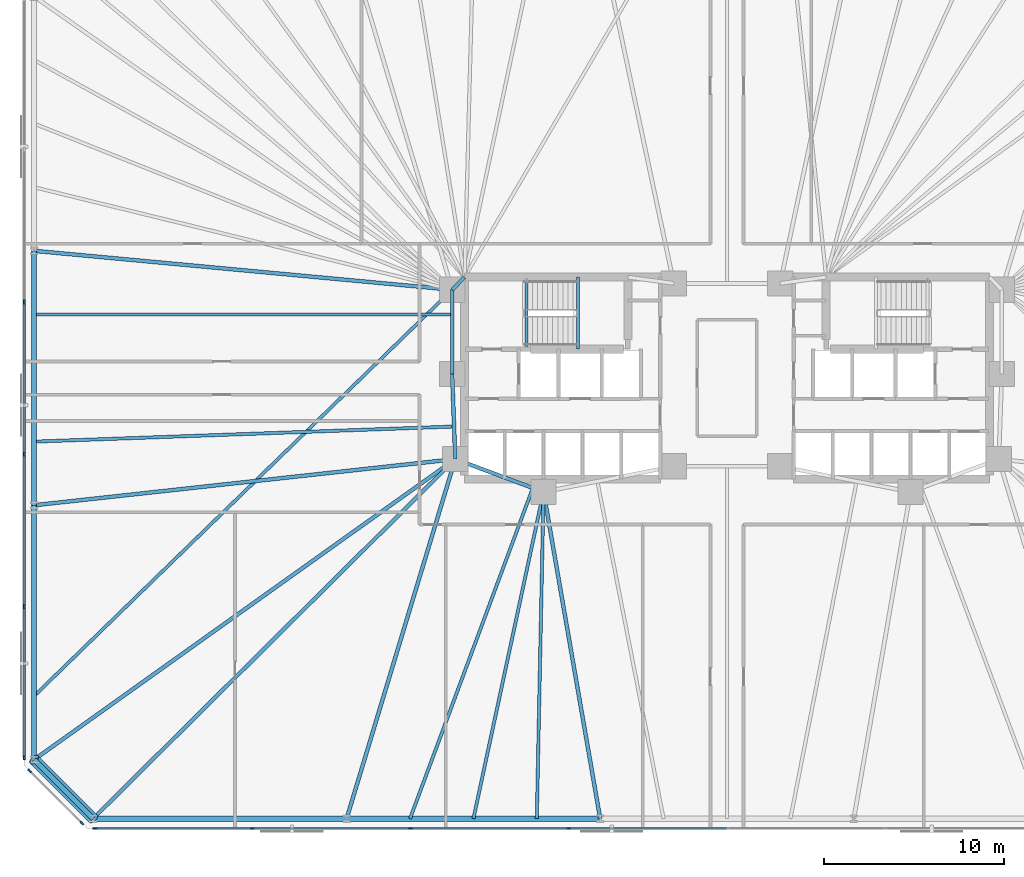
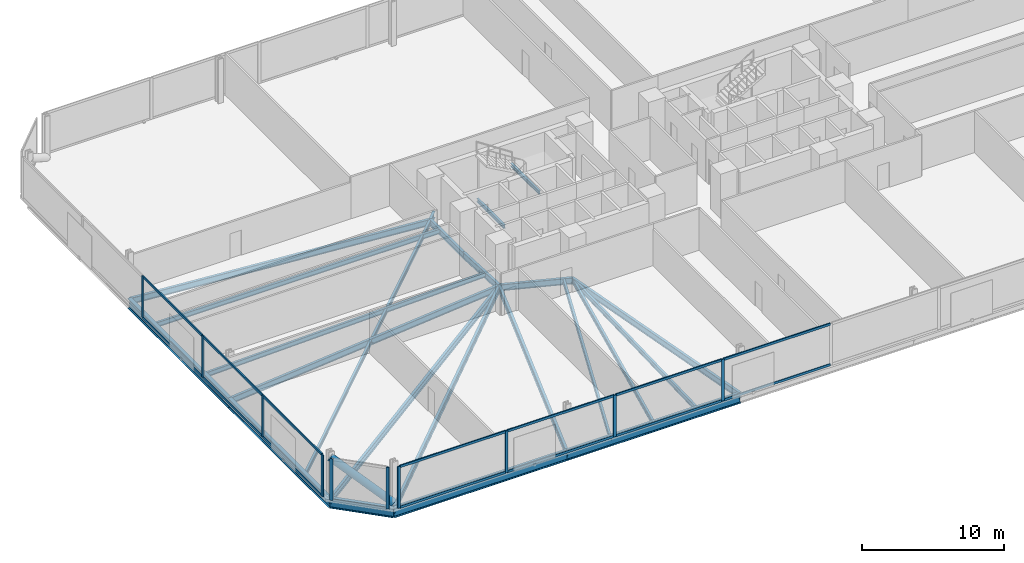
# One storey, part 6 of 17: 25 members, 23 beams, 3 elements without a shape of their own.
"""IFC4 building model written with IfcOpenShell, lengths in metres."""

from ifc_helpers import new_model, si_unit, direction, frame, origin, origin_2d, place, context, subcontext, project, spatial, rectangle, hollow_circle, i_section, extrude, material, material_profile, profile_set, type_object, element, aggregate, save


model = new_model("IFC4")

# Units and contexts
model_context = context("Model", 3, precision=1e-05, world=origin(), true_north=direction((0.0, 1.0)))
body_context = subcontext(model_context, "Body", "Model", "MODEL_VIEW")
ifc_project = project(units=[si_unit("LENGTHUNIT", "METRE"), si_unit("AREAUNIT", "SQUARE_METRE"), si_unit("VOLUMEUNIT", "CUBIC_METRE"), si_unit("PLANEANGLEUNIT", "RADIAN"), si_unit("MASSUNIT", "GRAM", prefix="KILO")], contexts=[model_context])

# Site, building, storey
site_placement = place(None, origin())
site = spatial("IfcSite", under=ifc_project, at=site_placement, CompositionType="ELEMENT")
building_placement = place(site_placement, origin())
building = spatial("IfcBuilding", under=site, at=building_placement, Name="Menara Jurai Vektor", CompositionType="ELEMENT")
storey_placement = place(building_placement, frame((0.0, 0.0, 56.0)))
storey = spatial("IfcBuildingStorey", under=building, at=storey_placement, Name="L13", CompositionType="ELEMENT", Elevation=56.0)

# Curtain wall, members
ifc_material_1 = material(Name="Anodised Pale Aluminium & Low-E Double Glazing", Category="aluminium")
curtain_wall_type = type_object("IfcCurtainWallType", Name="CW-BLK1", PredefinedType="NOTDEFINED", material=ifc_material_1)
curtain_wall_1_placement = place(storey_placement, origin())
curtain_wall_1 = element("IfcCurtainWall", 1, at=curtain_wall_1_placement, inside=storey, type_object=curtain_wall_type, Name="Unitised Curtain Wall L13 F01", PredefinedType="NOTDEFINED")
ifc_material_2 = material(Name="Anodised Pale Aluminium Mullion", Category="aluminium")
ifc_material_profile_1 = material_profile(ifc_material_2, rectangle(XDim=0.094970703125, YDim=0.239990234375, at=origin_2d()), Name="ALU MUL 95x240")
ifc_profile_set_1 = profile_set([ifc_material_profile_1], Name="Anodised Pale Aluminium Mullion")
member_type_1 = type_object("IfcMemberType", Name="CW-BLK1-MUL", PredefinedType="MULLION", material=ifc_profile_set_1)
member_1_placement = place(storey_placement, frame((-35.072509765625, -25.0, 0.0), z_axis=(0.0, 0.0, 1.0), x_axis=(0.0, 1.0, 0.0)))
member_1 = element("IfcMember", 2, at=member_1_placement, type_object=member_type_1, Name="CW-01 mullion 1", PredefinedType="MULLION", context=body_context, shape_type="SweptSolid", body=[
    extrude(rectangle(XDim=0.094970703125, YDim=0.239990234375, at=origin_2d()), origin(), (0.0, 0.0, 1.0), 3.574951171875),
])
member_2_placement = place(storey_placement, frame((-26.340087890625, -25.0, 0.0), z_axis=(0.0, 0.0, 1.0), x_axis=(0.0, 1.0, 0.0)))
member_2 = element("IfcMember", 3, at=member_2_placement, type_object=member_type_1, Name="CW-01 mullion 2", PredefinedType="MULLION", context=body_context, shape_type="SweptSolid", body=[
    extrude(rectangle(XDim=0.094970703125, YDim=0.239990234375, at=origin_2d()), origin(), (0.0, 0.0, 1.0), 3.574951171875),
])
member_3_placement = place(storey_placement, frame((-17.56005859375, -25.0, 0.0), z_axis=(0.0, 0.0, 1.0), x_axis=(0.0, 1.0, 0.0)))
member_3 = element("IfcMember", 4, at=member_3_placement, type_object=member_type_1, Name="CW-01 mullion 3", PredefinedType="MULLION", context=body_context, shape_type="SweptSolid", body=[
    extrude(rectangle(XDim=0.094970703125, YDim=0.239990234375, at=origin_2d()), origin(), (0.0, 0.0, 1.0), 3.574951171875),
])
member_4_placement = place(storey_placement, frame((-8.780029296875, -25.0, 0.0), z_axis=(0.0, 0.0, 1.0), x_axis=(0.0, 1.0, 0.0)))
member_4 = element("IfcMember", 5, at=member_4_placement, type_object=member_type_1, Name="CW-01 mullion 4", PredefinedType="MULLION", context=body_context, shape_type="SweptSolid", body=[
    extrude(rectangle(XDim=0.094970703125, YDim=0.239990234375, at=origin_2d()), origin(), (0.0, 0.0, 1.0), 3.574951171875),
])

curtain_wall_2_placement = place(storey_placement, origin())
curtain_wall_2 = element("IfcCurtainWall", 6, at=curtain_wall_2_placement, inside=storey, type_object=curtain_wall_type, Name="Unitised Curtain Wall L13 F07", PredefinedType="NOTDEFINED")
member_5_placement = place(storey_placement, frame((-39.0, 4.22412109375, 0.0), z_axis=(0.0, 0.0, 1.0), x_axis=(1.0, 0.0, 0.0)))
member_5 = element("IfcMember", 7, at=member_5_placement, type_object=member_type_1, Name="CW-01 mullion 3", PredefinedType="MULLION", context=body_context, shape_type="SweptSolid", body=[
    extrude(rectangle(XDim=0.094970703125, YDim=0.239990234375, at=origin_2d()), origin(), (0.0, 0.0, 1.0), 3.574951171875),
])
member_6_placement = place(storey_placement, frame((-39.0, -4.22412109375, 0.0), z_axis=(0.0, 0.0, 1.0), x_axis=(1.0, 0.0, 0.0)))
member_6 = element("IfcMember", 8, at=member_6_placement, type_object=member_type_1, Name="CW-01 mullion 4", PredefinedType="MULLION", context=body_context, shape_type="SweptSolid", body=[
    extrude(rectangle(XDim=0.094970703125, YDim=0.239990234375, at=origin_2d()), origin(), (0.0, 0.0, 1.0), 3.574951171875),
])
member_7_placement = place(storey_placement, frame((-39.0, -12.672119140625, 0.0), z_axis=(0.0, 0.0, 1.0), x_axis=(1.0, 0.0, 0.0)))
member_7 = element("IfcMember", 9, at=member_7_placement, type_object=member_type_1, Name="CW-01 mullion 5", PredefinedType="MULLION", context=body_context, shape_type="SweptSolid", body=[
    extrude(rectangle(XDim=0.094970703125, YDim=0.239990234375, at=origin_2d()), origin(), (0.0, 0.0, 1.0), 3.574951171875),
])
member_8_placement = place(storey_placement, frame((-39.0, -21.072509765625, 0.0), z_axis=(0.0, 0.0, 1.0), x_axis=(1.0, 0.0, 0.0)))
member_8 = element("IfcMember", 10, at=member_8_placement, type_object=member_type_1, Name="CW-01 mullion 6", PredefinedType="MULLION", context=body_context, shape_type="SweptSolid", body=[
    extrude(rectangle(XDim=0.094970703125, YDim=0.239990234375, at=origin_2d()), origin(), (0.0, 0.0, 1.0), 3.574951171875),
])

curtain_wall_3_placement = place(storey_placement, origin())
curtain_wall_3 = element("IfcCurtainWall", 11, at=curtain_wall_3_placement, inside=storey, type_object=curtain_wall_type, Name="Unitised Curtain Wall L13 F08", PredefinedType="NOTDEFINED")
member_9_placement = place(storey_placement, frame((-38.69775390625, -21.80224609375, 0.0), z_axis=(0.0, 0.0, 1.0), x_axis=(0.707106781187, 0.707106781187, 0.0)))
member_9 = element("IfcMember", 12, at=member_9_placement, type_object=member_type_1, Name="CW-01 mullion 1", PredefinedType="MULLION", context=body_context, shape_type="SweptSolid", body=[
    extrude(rectangle(XDim=0.094970703125, YDim=0.239990234375, at=origin_2d()), origin(), (0.0, 0.0, 1.0), 3.574951171875),
])
member_10_placement = place(storey_placement, frame((-35.80224609375, -24.69775390625, 0.0), z_axis=(0.0, 0.0, 1.0), x_axis=(0.707106781187, 0.707106781187, 0.0)))
member_10 = element("IfcMember", 13, at=member_10_placement, type_object=member_type_1, Name="CW-01 mullion 2", PredefinedType="MULLION", context=body_context, shape_type="SweptSolid", body=[
    extrude(rectangle(XDim=0.094970703125, YDim=0.239990234375, at=origin_2d()), origin(), (0.0, 0.0, 1.0), 3.574951171875),
])
aggregate(curtain_wall_3, [member_9, member_10])

# Member
ifc_material_3 = material(Name="Anodised Pale Aluminium Transom", Category="aluminium")
ifc_material_profile_2 = material_profile(ifc_material_3, rectangle(XDim=0.094970703125, YDim=0.199951171875, at=origin_2d()), Name="ALU TRN 95x200")
ifc_profile_set_2 = profile_set([ifc_material_profile_2], Name="Anodised Pale Aluminium Transom")
member_type_2 = type_object("IfcMemberType", Name="CW-BLK1-TRN", PredefinedType="USERDEFINED", material=ifc_profile_set_2)
member_11_placement = place(storey_placement, frame((-35.02490234375, -25.0, 0.047607421875), z_axis=(1.0, 0.0, 0.0), x_axis=(0.0, 1.0, 0.0)))
member_11 = element("IfcMember", 14, at=member_11_placement, type_object=member_type_2, Name="CW-01 transom 1.1", ObjectType="TRANSOM", PredefinedType="USERDEFINED", context=body_context, shape_type="SweptSolid", body=[
    extrude(rectangle(XDim=0.094970703125, YDim=0.199951171875, at=origin_2d()), origin(), (0.0, 0.0, 1.0), 8.637451171875),
])

member_12_placement = place(storey_placement, frame((-35.02490234375, -25.0, 3.527587890625), z_axis=(1.0, 0.0, 0.0), x_axis=(0.0, 1.0, 0.0)))
member_12 = element("IfcMember", 15, at=member_12_placement, type_object=member_type_2, Name="CW-01 transom 1.2", ObjectType="TRANSOM", PredefinedType="USERDEFINED", context=body_context, shape_type="SweptSolid", body=[
    extrude(rectangle(XDim=0.094970703125, YDim=0.199951171875, at=origin_2d()), origin(), (0.0, 0.0, 1.0), 8.637451171875),
])

member_13_placement = place(storey_placement, frame((-26.29248046875, -25.0, 0.047607421875), z_axis=(1.0, 0.0, 0.0), x_axis=(0.0, 1.0, 0.0)))
member_13 = element("IfcMember", 16, at=member_13_placement, type_object=member_type_2, Name="CW-01 transom 2.1", ObjectType="TRANSOM", PredefinedType="USERDEFINED", context=body_context, shape_type="SweptSolid", body=[
    extrude(rectangle(XDim=0.094970703125, YDim=0.199951171875, at=origin_2d()), origin(), (0.0, 0.0, 1.0), 8.68505859375),
])

member_14_placement = place(storey_placement, frame((-26.29248046875, -25.0, 3.527587890625), z_axis=(1.0, 0.0, 0.0), x_axis=(0.0, 1.0, 0.0)))
member_14 = element("IfcMember", 17, at=member_14_placement, type_object=member_type_2, Name="CW-01 transom 2.2", ObjectType="TRANSOM", PredefinedType="USERDEFINED", context=body_context, shape_type="SweptSolid", body=[
    extrude(rectangle(XDim=0.094970703125, YDim=0.199951171875, at=origin_2d()), origin(), (0.0, 0.0, 1.0), 8.68505859375),
])

member_15_placement = place(storey_placement, frame((-17.512451171875, -25.0, 0.047607421875), z_axis=(1.0, 0.0, 0.0), x_axis=(0.0, 1.0, 0.0)))
member_15 = element("IfcMember", 18, at=member_15_placement, type_object=member_type_2, Name="CW-01 transom 3.1", ObjectType="TRANSOM", PredefinedType="USERDEFINED", context=body_context, shape_type="SweptSolid", body=[
    extrude(rectangle(XDim=0.094970703125, YDim=0.199951171875, at=origin_2d()), origin(), (0.0, 0.0, 1.0), 8.68505859375),
])

member_16_placement = place(storey_placement, frame((-17.512451171875, -25.0, 3.527587890625), z_axis=(1.0, 0.0, 0.0), x_axis=(0.0, 1.0, 0.0)))
member_16 = element("IfcMember", 19, at=member_16_placement, type_object=member_type_2, Name="CW-01 transom 3.2", ObjectType="TRANSOM", PredefinedType="USERDEFINED", context=body_context, shape_type="SweptSolid", body=[
    extrude(rectangle(XDim=0.094970703125, YDim=0.199951171875, at=origin_2d()), origin(), (0.0, 0.0, 1.0), 8.68505859375),
])

member_17_placement = place(storey_placement, frame((-8.732421875, -25.0, 0.047607421875), z_axis=(1.0, 0.0, 0.0), x_axis=(0.0, 1.0, 0.0)))
member_17 = element("IfcMember", 20, at=member_17_placement, type_object=member_type_2, Name="CW-01 transom 4.1", ObjectType="TRANSOM", PredefinedType="USERDEFINED", context=body_context, shape_type="SweptSolid", body=[
    extrude(rectangle(XDim=0.094970703125, YDim=0.199951171875, at=origin_2d()), origin(), (0.0, 0.0, 1.0), 8.684814453125),
])

member_18_placement = place(storey_placement, frame((-8.732421875, -25.0, 3.527587890625), z_axis=(1.0, 0.0, 0.0), x_axis=(0.0, 1.0, 0.0)))
member_18 = element("IfcMember", 21, at=member_18_placement, type_object=member_type_2, Name="CW-01 transom 4.2", ObjectType="TRANSOM", PredefinedType="USERDEFINED", context=body_context, shape_type="SweptSolid", body=[
    extrude(rectangle(XDim=0.094970703125, YDim=0.199951171875, at=origin_2d()), origin(), (0.0, 0.0, 1.0), 8.684814453125),
])

aggregate(curtain_wall_1, [member_1, member_2, member_3, member_4, member_11, member_12, member_13, member_14, member_15, member_16, member_17, member_18])

member_19_placement = place(storey_placement, frame((-39.0, 4.176513671875, 0.047607421875), z_axis=(0.0, -1.0, 0.0), x_axis=(1.0, 0.0, 0.0)))
member_19 = element("IfcMember", 22, at=member_19_placement, type_object=member_type_2, Name="CW-01 transom 3.1", ObjectType="TRANSOM", PredefinedType="USERDEFINED", context=body_context, shape_type="SweptSolid", body=[
    extrude(rectangle(XDim=0.094970703125, YDim=0.199951171875, at=origin_2d()), origin(), (0.0, 0.0, 1.0), 8.35302734375),
])

member_20_placement = place(storey_placement, frame((-39.0, 4.176513671875, 3.527587890625), z_axis=(0.0, -1.0, 0.0), x_axis=(1.0, 0.0, 0.0)))
member_20 = element("IfcMember", 23, at=member_20_placement, type_object=member_type_2, Name="CW-01 transom 3.2", ObjectType="TRANSOM", PredefinedType="USERDEFINED", context=body_context, shape_type="SweptSolid", body=[
    extrude(rectangle(XDim=0.094970703125, YDim=0.199951171875, at=origin_2d()), origin(), (0.0, 0.0, 1.0), 8.35302734375),
])

member_21_placement = place(storey_placement, frame((-39.0, -4.271484375, 0.047607421875), z_axis=(0.0, -1.0, 0.0), x_axis=(1.0, 0.0, 0.0)))
member_21 = element("IfcMember", 24, at=member_21_placement, type_object=member_type_2, Name="CW-01 transom 4.1", ObjectType="TRANSOM", PredefinedType="USERDEFINED", context=body_context, shape_type="SweptSolid", body=[
    extrude(rectangle(XDim=0.094970703125, YDim=0.199951171875, at=origin_2d()), origin(), (0.0, 0.0, 1.0), 8.35302734375),
])

member_22_placement = place(storey_placement, frame((-39.0, -4.271484375, 3.527587890625), z_axis=(0.0, -1.0, 0.0), x_axis=(1.0, 0.0, 0.0)))
member_22 = element("IfcMember", 25, at=member_22_placement, type_object=member_type_2, Name="CW-01 transom 4.2", ObjectType="TRANSOM", PredefinedType="USERDEFINED", context=body_context, shape_type="SweptSolid", body=[
    extrude(rectangle(XDim=0.094970703125, YDim=0.199951171875, at=origin_2d()), origin(), (0.0, 0.0, 1.0), 8.35302734375),
])

member_23_placement = place(storey_placement, frame((-39.0, -12.719482421875, 0.047607421875), z_axis=(0.0, -1.0, 0.0), x_axis=(1.0, 0.0, 0.0)))
member_23 = element("IfcMember", 26, at=member_23_placement, type_object=member_type_2, Name="CW-01 transom 5.1", ObjectType="TRANSOM", PredefinedType="USERDEFINED", context=body_context, shape_type="SweptSolid", body=[
    extrude(rectangle(XDim=0.094970703125, YDim=0.199951171875, at=origin_2d()), origin(), (0.0, 0.0, 1.0), 8.305419921875),
])

member_24_placement = place(storey_placement, frame((-39.0, -12.719482421875, 3.527587890625), z_axis=(0.0, -1.0, 0.0), x_axis=(1.0, 0.0, 0.0)))
member_24 = element("IfcMember", 27, at=member_24_placement, type_object=member_type_2, Name="CW-01 transom 5.2", ObjectType="TRANSOM", PredefinedType="USERDEFINED", context=body_context, shape_type="SweptSolid", body=[
    extrude(rectangle(XDim=0.094970703125, YDim=0.199951171875, at=origin_2d()), origin(), (0.0, 0.0, 1.0), 8.305419921875),
])

aggregate(curtain_wall_2, [member_5, member_6, member_7, member_8, member_19, member_20, member_21, member_22, member_23, member_24])

# Beams
ifc_material_4 = material(Name="Steel S355", Category="steel")
ifc_material_profile_3 = material_profile(ifc_material_4, i_section(OverallWidth=0.2109375, OverallDepth=0.5390625, WebThickness=0.011962890625, FlangeThickness=0.01904296875, FilletRadius=0.012939453125, at=origin_2d()), Name="UKB 533x210x109")
ifc_profile_set_3 = profile_set([ifc_material_profile_3], Name="Steel S355")
beam_type_1 = type_object("IfcBeamType", Name="STR-BM-533", PredefinedType="BEAM", material=ifc_profile_set_3)
beam_1_placement = place(storey_placement, frame((-15.25, 4.89990234375, -0.494384765625), z_axis=(0.701871936926, 0.712303154672, 0.0), x_axis=(-0.712303154672, 0.701871936926, 0.0)))
element("IfcBeam", 28, at=beam_1_placement, inside=storey, type_object=beam_type_1, Name="Core Ring Header Girder L13-CHW-N1", PredefinedType="BEAM", context=body_context, shape_type="SweptSolid", body=[
    extrude(i_section(OverallWidth=0.2109375, OverallDepth=0.5390625, WebThickness=0.011962890625, FlangeThickness=0.01904296875, FilletRadius=0.012939453125, at=origin_2d()), origin(), (0.0, 0.0, 1.0), 0.98291015625),
])
beam_2_placement = place(storey_placement, frame((-15.25, 0.219970703125, -0.494384765625), z_axis=(0.0, 1.0, 0.0), x_axis=(-1.0, 0.0, 0.0)))
element("IfcBeam", 29, at=beam_2_placement, inside=storey, type_object=beam_type_1, Name="Core Ring Header Girder L13-CHW-W1", PredefinedType="BEAM", context=body_context, shape_type="SweptSolid", body=[
    extrude(i_section(OverallWidth=0.2109375, OverallDepth=0.5390625, WebThickness=0.011962890625, FlangeThickness=0.01904296875, FilletRadius=0.012939453125, at=origin_2d()), origin(), (0.0, 0.0, 1.0), 4.679931640625),
])
beam_3_placement = place(storey_placement, frame((-15.080078125, -4.5, -0.494384765625), z_axis=(-0.035977314146, 0.999352606874, 0.0), x_axis=(-0.999352606874, -0.035977314146, 0.0)))
element("IfcBeam", 30, at=beam_3_placement, inside=storey, type_object=beam_type_1, Name="Core Ring Header Girder L13-CHW-W2", PredefinedType="BEAM", context=body_context, shape_type="SweptSolid", body=[
    extrude(i_section(OverallWidth=0.2109375, OverallDepth=0.5390625, WebThickness=0.011962890625, FlangeThickness=0.01904296875, FilletRadius=0.012939453125, at=origin_2d()), origin(), (0.0, 0.0, 1.0), 4.72314453125),
])
beam_4_placement = place(storey_placement, frame((-15.080078125, -4.5, -0.494384765625), z_axis=(0.937424400887, -0.348188874925, 0.0), x_axis=(0.348188874925, 0.937424400887, 0.0)))
element("IfcBeam", 31, at=beam_4_placement, inside=storey, type_object=beam_type_1, Name="Core Ring Header Girder L13-CHW-S1", PredefinedType="BEAM", context=body_context, shape_type="SweptSolid", body=[
    extrude(i_section(OverallWidth=0.2109375, OverallDepth=0.5390625, WebThickness=0.011962890625, FlangeThickness=0.01904296875, FilletRadius=0.012939453125, at=origin_2d()), origin(), (0.0, 0.0, 1.0), 5.227294921875),
])
beam_5_placement = place(storey_placement, frame((-35.177734375, -24.449951171875, -0.494384765625), z_axis=(0.709709931659, 0.704494011972, 0.0), x_axis=(-0.704494011972, 0.709709931659, 0.0)))
element("IfcBeam", 32, at=beam_5_placement, inside=storey, type_object=beam_type_1, Name="Radial Floor Girder L13-S1", PredefinedType="BEAM", context=body_context, shape_type="SweptSolid", body=[
    extrude(i_section(OverallWidth=0.2109375, OverallDepth=0.5390625, WebThickness=0.011962890625, FlangeThickness=0.01904296875, FilletRadius=0.012939453125, at=origin_2d()), origin(), (0.0, 0.0, 1.0), 28.318115234375),
])
beam_6_placement = place(storey_placement, frame((-21.106689453125, -24.449951171875, -0.494384765625), z_axis=(0.289179812203, 0.957274796604, 0.0), x_axis=(-0.957274796604, 0.289179812203, 0.0)))
element("IfcBeam", 33, at=beam_6_placement, inside=storey, type_object=beam_type_1, Name="Radial Floor Girder L13-S2", PredefinedType="BEAM", context=body_context, shape_type="SweptSolid", body=[
    extrude(i_section(OverallWidth=0.2109375, OverallDepth=0.5390625, WebThickness=0.011962890625, FlangeThickness=0.01904296875, FilletRadius=0.012939453125, at=origin_2d()), origin(), (0.0, 0.0, 1.0), 20.84033203125),
])
beam_7_placement = place(storey_placement, frame((-7.03564453125, -24.449951171875, -0.494384765625), z_axis=(-0.170880325642, 0.985291791455, 0.0), x_axis=(-0.985291791455, -0.170880325642, 0.0)))
element("IfcBeam", 34, at=beam_7_placement, inside=storey, type_object=beam_type_1, Name="Radial Floor Girder L13-S3", PredefinedType="BEAM", context=body_context, shape_type="SweptSolid", body=[
    extrude(i_section(OverallWidth=0.2109375, OverallDepth=0.5390625, WebThickness=0.011962890625, FlangeThickness=0.01904296875, FilletRadius=0.012939453125, at=origin_2d()), origin(), (0.0, 0.0, 1.0), 18.400634765625),
])
beam_8_placement = place(storey_placement, frame((-38.449951171875, 7.059326171875, -0.494384765625), z_axis=(0.995696113112, -0.092678208514, 0.0), x_axis=(0.092678208514, 0.995696113112, 0.0)))
element("IfcBeam", 35, at=beam_8_placement, inside=storey, type_object=beam_type_1, Name="Radial Floor Girder L13-W2", PredefinedType="BEAM", context=body_context, shape_type="SweptSolid", body=[
    extrude(i_section(OverallWidth=0.2109375, OverallDepth=0.5390625, WebThickness=0.011962890625, FlangeThickness=0.01904296875, FilletRadius=0.012939453125, at=origin_2d()), origin(), (0.0, 0.0, 1.0), 23.30029296875),
])
beam_9_placement = place(storey_placement, frame((-38.449951171875, -7.059326171875, -0.494384765625), z_axis=(0.994056757953, 0.108863042253, 0.0), x_axis=(-0.108863042253, 0.994056757953, 0.0)))
element("IfcBeam", 36, at=beam_9_placement, inside=storey, type_object=beam_type_1, Name="Radial Floor Girder L13-W3", PredefinedType="BEAM", context=body_context, shape_type="SweptSolid", body=[
    extrude(i_section(OverallWidth=0.2109375, OverallDepth=0.5390625, WebThickness=0.011962890625, FlangeThickness=0.01904296875, FilletRadius=0.012939453125, at=origin_2d()), origin(), (0.0, 0.0, 1.0), 23.509521484375),
])
beam_10_placement = place(storey_placement, frame((-38.449951171875, -21.177734375, -0.494384765625), z_axis=(0.813981033216, 0.580891450759, 0.0), x_axis=(-0.580891450759, 0.813981033216, 0.0)))
element("IfcBeam", 37, at=beam_10_placement, inside=storey, type_object=beam_type_1, Name="Radial Floor Girder L13-W4", PredefinedType="BEAM", context=body_context, shape_type="SweptSolid", body=[
    extrude(i_section(OverallWidth=0.2109375, OverallDepth=0.5390625, WebThickness=0.011962890625, FlangeThickness=0.01904296875, FilletRadius=0.012939453125, at=origin_2d()), origin(), (0.0, 0.0, 1.0), 28.710693359375),
])

# Member
ifc_material_5 = material(Name="Steel S460", Category="steel")
ifc_material_profile_4 = material_profile(ifc_material_5, hollow_circle(Radius=0.304931640625, WallThickness=0.02490234375, at=origin_2d()), Name="CHS 610x25")
ifc_profile_set_4 = profile_set([ifc_material_profile_4], Name="Steel S460")
member_type_3 = type_object("IfcMemberType", Name="STR-BR-610", PredefinedType="BRACE", material=ifc_profile_set_4)
member_25_placement = place(storey_placement, frame((-35.177734375, -24.449951171875, 0.14990234375), z_axis=(-0.588928100616, 0.588928100616, 0.55346850372), x_axis=(-0.707106781187, -0.707106781187, 0.0)))
element("IfcMember", 38, at=member_25_placement, inside=storey, type_object=member_type_3, Name="Exoskeleton Corner Brace L13-4", PredefinedType="BRACE", context=body_context, shape_type="SweptSolid", body=[
    extrude(hollow_circle(Radius=0.304931640625, WallThickness=0.02490234375, at=origin_2d()), origin(), (0.0, 0.0, 1.0), 5.55615234375),
])

# Beams
ifc_material_profile_5 = material_profile(ifc_material_4, i_section(OverallWidth=0.178955078125, OverallDepth=0.408935546875, WebThickness=0.009033203125, FlangeThickness=0.013916015625, FilletRadius=0.010009765625, at=origin_2d()), Name="UKB 406x178x67")
ifc_profile_set_5 = profile_set([ifc_material_profile_5], Name="Steel S355")
beam_type_2 = type_object("IfcBeamType", Name="STR-JS-406", PredefinedType="JOIST", material=ifc_profile_set_5)
beam_11_placement = place(storey_placement, frame((-17.5888671875, -24.449951171875, -0.429443359375), z_axis=(0.348179014223, 0.937428063403, 0.0), x_axis=(-0.937428063403, 0.348179014223, 0.0)))
element("IfcBeam", 39, at=beam_11_placement, inside=storey, type_object=beam_type_2, Name="Radial Secondary Floor Joist L13-JS01", PredefinedType="JOIST", context=body_context, shape_type="SweptSolid", body=[
    extrude(i_section(OverallWidth=0.178955078125, OverallDepth=0.408935546875, WebThickness=0.009033203125, FlangeThickness=0.013916015625, FilletRadius=0.010009765625, at=origin_2d()), origin(), (0.0, 0.0, 1.0), 19.5751953125),
])
beam_12_placement = place(storey_placement, frame((-14.071044921875, -24.449951171875, -0.429443359375), z_axis=(0.209845584412, 0.977734539997, 0.0), x_axis=(-0.977734539997, 0.209845584412, 0.0)))
element("IfcBeam", 40, at=beam_12_placement, inside=storey, type_object=beam_type_2, Name="Radial Secondary Floor Joist L13-JS02", PredefinedType="JOIST", context=body_context, shape_type="SweptSolid", body=[
    extrude(i_section(OverallWidth=0.178955078125, OverallDepth=0.408935546875, WebThickness=0.009033203125, FlangeThickness=0.013916015625, FilletRadius=0.010009765625, at=origin_2d()), origin(), (0.0, 0.0, 1.0), 18.542724609375),
])
beam_13_placement = place(storey_placement, frame((-10.55322265625, -24.449951171875, -0.429443359375), z_axis=(0.020585456509, 0.999788097039, 0.0), x_axis=(-0.999788097039, 0.020585456509, 0.0)))
element("IfcBeam", 41, at=beam_13_placement, inside=storey, type_object=beam_type_2, Name="Radial Secondary Floor Joist L13-JS03", PredefinedType="JOIST", context=body_context, shape_type="SweptSolid", body=[
    extrude(i_section(OverallWidth=0.178955078125, OverallDepth=0.408935546875, WebThickness=0.009033203125, FlangeThickness=0.013916015625, FilletRadius=0.010009765625, at=origin_2d()), origin(), (0.0, 0.0, 1.0), 18.1337890625),
])
beam_14_placement = place(storey_placement, frame((-38.449951171875, 3.529541015625, -0.429443359375), z_axis=(1.0, 0.0, 0.0), x_axis=(0.0, 1.0, 0.0)))
element("IfcBeam", 42, at=beam_14_placement, inside=storey, type_object=beam_type_2, Name="Radial Secondary Floor Joist L13-JS35", PredefinedType="JOIST", context=body_context, shape_type="SweptSolid", body=[
    extrude(i_section(OverallWidth=0.178955078125, OverallDepth=0.408935546875, WebThickness=0.009033203125, FlangeThickness=0.013916015625, FilletRadius=0.010009765625, at=origin_2d()), origin(), (0.0, 0.0, 1.0), 23.199951171875),
])
beam_15_placement = place(storey_placement, frame((-38.449951171875, -3.529541015625, -0.429443359375), z_axis=(0.999352032814, 0.035993256462, 0.0), x_axis=(-0.035993256462, 0.999352032814, 0.0)))
element("IfcBeam", 43, at=beam_15_placement, inside=storey, type_object=beam_type_2, Name="Radial Secondary Floor Joist L13-JS36", PredefinedType="JOIST", context=body_context, shape_type="SweptSolid", body=[
    extrude(i_section(OverallWidth=0.178955078125, OverallDepth=0.408935546875, WebThickness=0.009033203125, FlangeThickness=0.013916015625, FilletRadius=0.010009765625, at=origin_2d()), origin(), (0.0, 0.0, 1.0), 23.31982421875),
])
beam_16_placement = place(storey_placement, frame((-38.449951171875, -17.648193359375, -0.429443359375), z_axis=(0.71710942187, 0.696960599363, 0.0), x_axis=(-0.696960599363, 0.71710942187, 0.0)))
element("IfcBeam", 44, at=beam_16_placement, inside=storey, type_object=beam_type_2, Name="Radial Secondary Floor Joist L13-JS37", PredefinedType="JOIST", context=body_context, shape_type="SweptSolid", body=[
    extrude(i_section(OverallWidth=0.178955078125, OverallDepth=0.408935546875, WebThickness=0.009033203125, FlangeThickness=0.013916015625, FilletRadius=0.010009765625, at=origin_2d()), origin(), (0.0, 0.0, 1.0), 32.35205078125),
])
ifc_material_profile_6 = material_profile(ifc_material_4, i_section(OverallWidth=0.1650390625, OverallDepth=0.302978515625, WebThickness=0.006103515625, FlangeThickness=0.010009765625, FilletRadius=0.009033203125, at=origin_2d()), Name="UKB 305x165x40")
ifc_profile_set_6 = profile_set([ifc_material_profile_6], Name="Steel S355")
beam_type_3 = type_object("IfcBeamType", Name="STR-LN-305", PredefinedType="LINTEL", material=ifc_profile_set_6)
beam_17_placement = place(storey_placement, frame((-11.1201171875, 1.60009765625, -0.37646484375), z_axis=(0.0, 1.0, 0.0), x_axis=(-1.0, 0.0, 0.0)))
element("IfcBeam", 45, at=beam_17_placement, inside=storey, type_object=beam_type_3, Name="Stair Well Floor Trimmer ST1 L13", PredefinedType="LINTEL", context=body_context, shape_type="SweptSolid", body=[
    extrude(i_section(OverallWidth=0.1650390625, OverallDepth=0.302978515625, WebThickness=0.006103515625, FlangeThickness=0.010009765625, FilletRadius=0.009033203125, at=origin_2d()), origin(), (0.0, 0.0, 1.0), 3.81982421875),
])
beam_18_placement = place(storey_placement, frame((-8.27001953125, 1.60009765625, 1.548583984375), z_axis=(0.0, 1.0, 0.0), x_axis=(-1.0, 0.0, 0.0)))
element("IfcBeam", 46, at=beam_18_placement, inside=storey, type_object=beam_type_3, Name="Stair Half-Landing Nosing Trimmer ST1-1 L13", PredefinedType="LINTEL", context=body_context, shape_type="SweptSolid", body=[
    extrude(i_section(OverallWidth=0.1650390625, OverallDepth=0.302978515625, WebThickness=0.006103515625, FlangeThickness=0.010009765625, FilletRadius=0.009033203125, at=origin_2d()), origin(), (0.0, 0.0, 1.0), 4.0),
])
ifc_material_profile_7 = material_profile(ifc_material_5, i_section(OverallWidth=0.2939453125, OverallDepth=0.85107421875, WebThickness=0.01611328125, FlangeThickness=0.027099609375, FilletRadius=0.01806640625, at=origin_2d()), Name="UKB 838x292x226")
ifc_profile_set_7 = profile_set([ifc_material_profile_7], Name="Steel S460")
beam_type_4 = type_object("IfcBeamType", Name="STR-SP-838", PredefinedType="SPANDREL", material=ifc_profile_set_7)
for number, where, z_axis, x_axis, name in (
    (47, (-35.177734375, -24.449951171875, -0.650390625), (1.0, 0.0, 0.0), (0.0, 1.0, 0.0), "Exoskeleton Spandrel Beam L13-01"),
    (48, (-21.106689453125, -24.449951171875, -0.650390625), (1.0, 0.0, 0.0), (0.0, 1.0, 0.0), "Exoskeleton Spandrel Beam L13-02"),
):
    element("IfcBeam", number, at=place(storey_placement, frame(where, z_axis=z_axis, x_axis=x_axis)), inside=storey, type_object=beam_type_4, Name=name, PredefinedType="SPANDREL", context=body_context, shape_type="SweptSolid", body=[
        extrude(i_section(OverallWidth=0.2939453125, OverallDepth=0.85107421875, WebThickness=0.01611328125, FlangeThickness=0.027099609375, FilletRadius=0.01806640625, at=origin_2d()), origin(), (0.0, 0.0, 1.0), 14.071044921875),
    ])
beam_19_placement = place(storey_placement, frame((-38.449951171875, 7.059326171875, -0.650390625), z_axis=(0.0, -1.0, 0.0), x_axis=(1.0, 0.0, 0.0)))
element("IfcBeam", 49, at=beam_19_placement, inside=storey, type_object=beam_type_4, Name="Exoskeleton Spandrel Beam L13-18", PredefinedType="SPANDREL", context=body_context, shape_type="SweptSolid", body=[
    extrude(i_section(OverallWidth=0.2939453125, OverallDepth=0.85107421875, WebThickness=0.01611328125, FlangeThickness=0.027099609375, FilletRadius=0.01806640625, at=origin_2d()), origin(), (0.0, 0.0, 1.0), 14.11865234375),
])
beam_20_placement = place(storey_placement, frame((-38.449951171875, -7.059326171875, -0.650390625), z_axis=(0.0, -1.0, 0.0), x_axis=(1.0, 0.0, 0.0)))
element("IfcBeam", 50, at=beam_20_placement, inside=storey, type_object=beam_type_4, Name="Exoskeleton Spandrel Beam L13-19", PredefinedType="SPANDREL", context=body_context, shape_type="SweptSolid", body=[
    extrude(i_section(OverallWidth=0.2939453125, OverallDepth=0.85107421875, WebThickness=0.01611328125, FlangeThickness=0.027099609375, FilletRadius=0.01806640625, at=origin_2d()), origin(), (0.0, 0.0, 1.0), 14.118408203125),
])
beam_21_placement = place(storey_placement, frame((-38.449951171875, -21.177734375, -0.650390625), z_axis=(0.707106781187, -0.707106781187, 0.0), x_axis=(0.707106781187, 0.707106781187, 0.0)))
element("IfcBeam", 51, at=beam_21_placement, inside=storey, type_object=beam_type_4, Name="Exoskeleton Spandrel Beam L13-20", PredefinedType="SPANDREL", context=body_context, shape_type="SweptSolid", body=[
    extrude(i_section(OverallWidth=0.2939453125, OverallDepth=0.85107421875, WebThickness=0.01611328125, FlangeThickness=0.027099609375, FilletRadius=0.01806640625, at=origin_2d()), origin(), (0.0, 0.0, 1.0), 4.627685546875),
])

save(model, "model.ifc")
